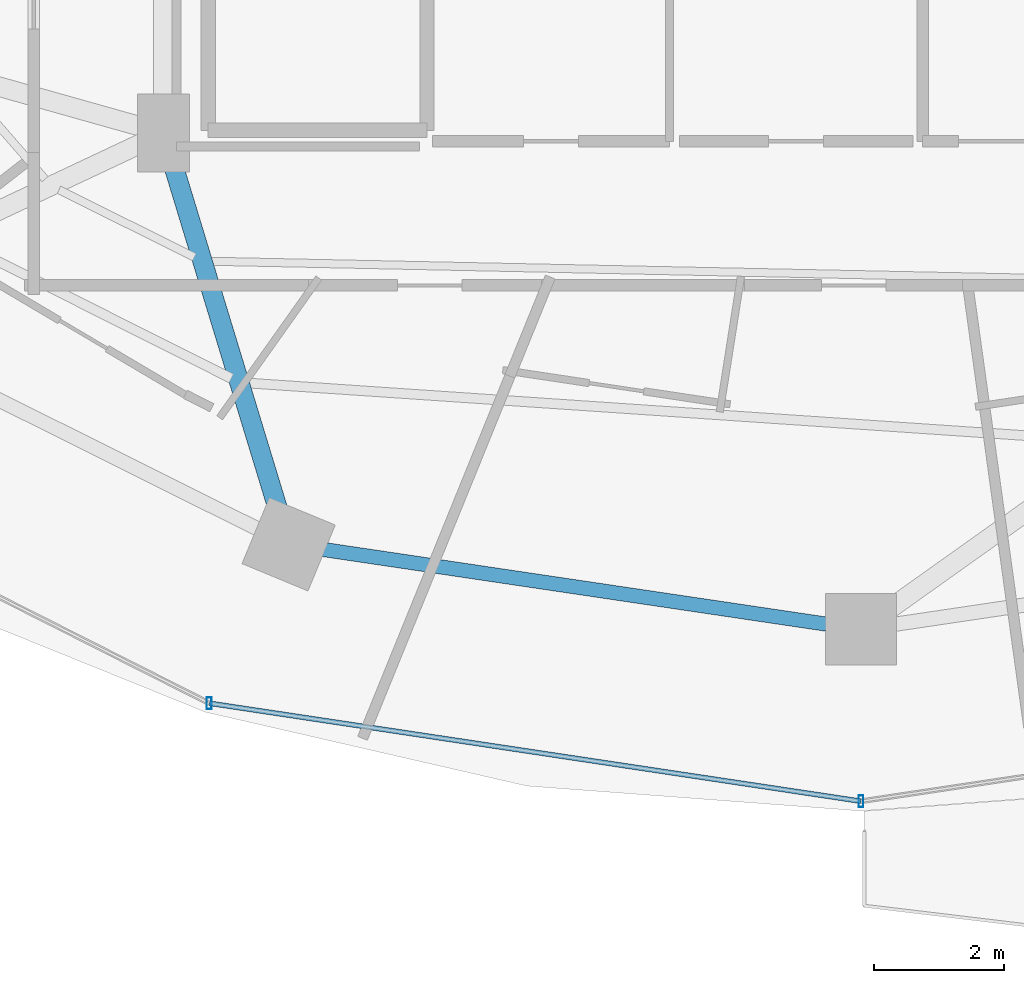
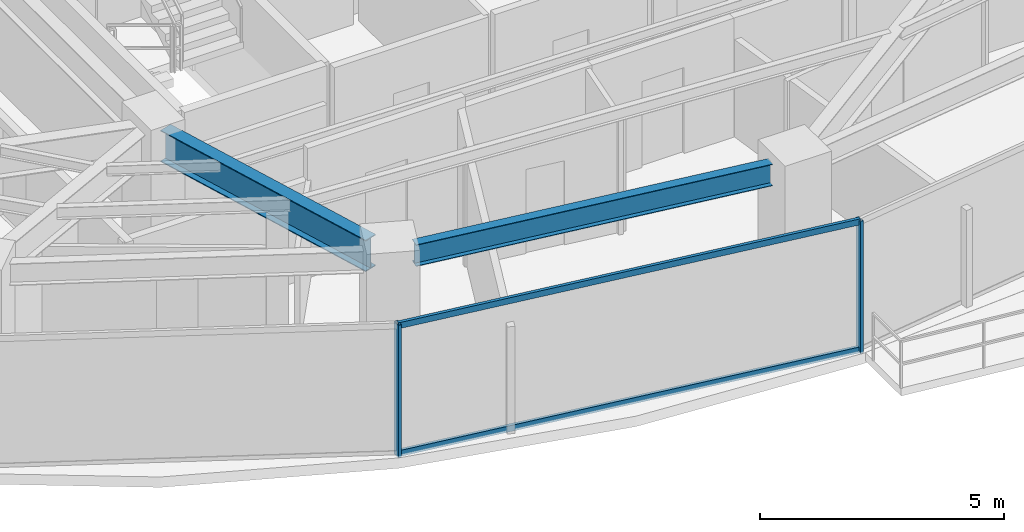
# One storey, part 4 of 30: 4 members, 2 beams, 1 element without a shape of its own.
"""IFC4 building model written with IfcOpenShell, lengths in metres."""

from ifc_helpers import new_model, si_unit, direction, frame, origin, origin_2d, place, context, subcontext, project, spatial, hollow_rectangle, i_section, extrude, material, material_profile, profile_set, type_object, element, aggregate, save


model = new_model("IFC4")

# Units and contexts
model_context = context("Model", 3, precision=1e-05, world=origin(), true_north=direction((0.0, 1.0)))
body_context = subcontext(model_context, "Body", "Model", "MODEL_VIEW")
ifc_project = project(units=[si_unit("LENGTHUNIT", "METRE"), si_unit("AREAUNIT", "SQUARE_METRE"), si_unit("VOLUMEUNIT", "CUBIC_METRE"), si_unit("PLANEANGLEUNIT", "RADIAN"), si_unit("MASSUNIT", "GRAM", prefix="KILO")], contexts=[model_context])

# Site, building, storey
site_placement = place(None, origin())
site = spatial("IfcSite", under=ifc_project, at=site_placement, CompositionType="ELEMENT")
building_placement = place(site_placement, origin())
building = spatial("IfcBuilding", under=site, at=building_placement, Name="Vorneva Point Tower", CompositionType="ELEMENT")
storey_placement = place(building_placement, frame((0.0, 0.0, 89.300048828125)))
storey = spatial("IfcBuildingStorey", under=building, at=storey_placement, Name="L23", CompositionType="ELEMENT", Elevation=89.300048828125)

# Beams
ifc_material_1 = material(Name="Steel S355", Category="steel")
ifc_material_profile_1 = material_profile(ifc_material_1, i_section(OverallWidth=0.300048828125, OverallDepth=0.7880859375, WebThickness=0.014404296875, FlangeThickness=0.02197265625, at=origin_2d()), Name="80Sh1")
ifc_profile_set_1 = profile_set([ifc_material_profile_1], Name="Steel S355")
beam_type_1 = type_object("IfcBeamType", Name="BM-GRD-80Sh1", PredefinedType="USERDEFINED", material=ifc_profile_set_1)
beam_1_placement = place(storey_placement, frame((29.0224609375, 10.6240234375, 2.845947265625), z_axis=(-0.291034888253, 0.956712440506, 0.0), x_axis=(-0.956712440506, -0.291034888253, 0.0)))
element("IfcBeam", 1, at=beam_1_placement, inside=storey, type_object=beam_type_1, Name="L23 Radial Primary Girder 12", ObjectType="GIRDER", PredefinedType="USERDEFINED", context=body_context, shape_type="SweptSolid", body=[
    extrude(i_section(OverallWidth=0.300048828125, OverallDepth=0.7880859375, WebThickness=0.014404296875, FlangeThickness=0.02197265625, at=origin_2d()), origin(), (0.0, 0.0, 1.0), 5.74951171875),
])
ifc_material_profile_2 = material_profile(ifc_material_1, i_section(OverallWidth=0.219970703125, OverallDepth=0.54296875, WebThickness=0.009521484375, FlangeThickness=0.013427734375, at=origin_2d()), Name="55B1")
ifc_profile_set_2 = profile_set([ifc_material_profile_2], Name="Steel S355")
beam_type_2 = type_object("IfcBeamType", Name="BM-SPN-55B1", PredefinedType="SPANDREL", material=ifc_profile_set_2)
beam_2_placement = place(storey_placement, frame((29.708251953125, 10.03076171875, 2.968505859375), z_axis=(0.989164507783, -0.146811363806, 0.0), x_axis=(0.146811363806, 0.989164507783, 0.0)))
element("IfcBeam", 2, at=beam_2_placement, inside=storey, type_object=beam_type_2, Name="L23 Perimeter Spandrel Ring Beam 12", PredefinedType="SPANDREL", context=body_context, shape_type="SweptSolid", body=[
    extrude(i_section(OverallWidth=0.219970703125, OverallDepth=0.54296875, WebThickness=0.009521484375, FlangeThickness=0.013427734375, at=origin_2d()), origin(), (0.0, 0.0, 1.0), 7.847412109375),
])

# Curtain wall, members
ifc_material_2 = material(Name="Pale anodised aluminium", Category="aluminium")
curtain_wall_type = type_object("IfcCurtainWallType", Name="CW-HTL-SYS", PredefinedType="NOTDEFINED", material=ifc_material_2)
curtain_wall_placement = place(storey_placement, origin())
curtain_wall = element("IfcCurtainWall", 3, at=curtain_wall_placement, inside=storey, type_object=curtain_wall_type, Name="L23 Unitised Curtain Wall CW-L23-R04", PredefinedType="NOTDEFINED")
ifc_material_profile_3 = material_profile(ifc_material_2, hollow_rectangle(XDim=0.074951171875, YDim=0.179931640625, WallThickness=0.00390625, at=origin_2d()), Name="AL-MUL 180x75x4")
ifc_profile_set_3 = profile_set([ifc_material_profile_3], Name="Pale anodised aluminium")
member_type_1 = type_object("IfcMemberType", Name="CW-MUL-180", PredefinedType="MULLION", material=ifc_profile_set_3)
member_1_placement = place(storey_placement, frame((27.95458984375, 7.660888671875, -0.0400390625), z_axis=(0.0, 0.0, 1.0), x_axis=(1.0, 0.0, 0.0)))
member_1 = element("IfcMember", 4, at=member_1_placement, type_object=member_type_1, Name="CW-L23-R04 Mullion 02", PredefinedType="MULLION", context=body_context, shape_type="SweptSolid", body=[
    extrude(hollow_rectangle(XDim=0.074951171875, YDim=0.179931640625, WallThickness=0.00390625, at=origin_2d()), origin(), (0.0, 0.0, 1.0), 3.31005859375),
])
member_2_placement = place(storey_placement, frame((38.0, 6.14990234375, -0.0400390625), z_axis=(0.0, 0.0, 1.0), x_axis=(1.0, 0.0, 0.0)))
member_2 = element("IfcMember", 5, at=member_2_placement, type_object=member_type_1, Name="CW-L23-R04 Mullion 03", PredefinedType="MULLION", context=body_context, shape_type="SweptSolid", body=[
    extrude(hollow_rectangle(XDim=0.074951171875, YDim=0.179931640625, WallThickness=0.00390625, at=origin_2d()), origin(), (0.0, 0.0, 1.0), 3.31005859375),
])
ifc_material_profile_4 = material_profile(ifc_material_2, hollow_rectangle(XDim=0.074951171875, YDim=0.14990234375, WallThickness=0.00390625, at=origin_2d()), Name="AL-TRN 150x75x4")
ifc_profile_set_4 = profile_set([ifc_material_profile_4], Name="Pale anodised aluminium")
member_type_2 = type_object("IfcMemberType", Name="CW-TRN-150", PredefinedType="USERDEFINED", material=ifc_profile_set_4)
member_3_placement = place(storey_placement, frame((27.95458984375, 7.660888671875, 0.02001953125), z_axis=(0.988875982167, -0.148742367512, 0.0), x_axis=(0.148742367512, 0.988875982167, 0.0)))
member_3 = element("IfcMember", 6, at=member_3_placement, type_object=member_type_2, Name="CW-L23-R04 Transom 02.1", ObjectType="TRANSOM", PredefinedType="USERDEFINED", context=body_context, shape_type="SweptSolid", body=[
    extrude(hollow_rectangle(XDim=0.074951171875, YDim=0.14990234375, WallThickness=0.00390625, at=origin_2d()), origin(), (0.0, 0.0, 1.0), 10.158447265625),
])
member_4_placement = place(storey_placement, frame((27.95458984375, 7.660888671875, 3.219970703125), z_axis=(0.988875982167, -0.148742367512, 0.0), x_axis=(0.148742367512, 0.988875982167, 0.0)))
member_4 = element("IfcMember", 7, at=member_4_placement, type_object=member_type_2, Name="CW-L23-R04 Transom 02.2", ObjectType="TRANSOM", PredefinedType="USERDEFINED", context=body_context, shape_type="SweptSolid", body=[
    extrude(hollow_rectangle(XDim=0.074951171875, YDim=0.14990234375, WallThickness=0.00390625, at=origin_2d()), origin(), (0.0, 0.0, 1.0), 10.158447265625),
])
aggregate(curtain_wall, [member_1, member_2, member_3, member_4])

save(model, "model.ifc")
